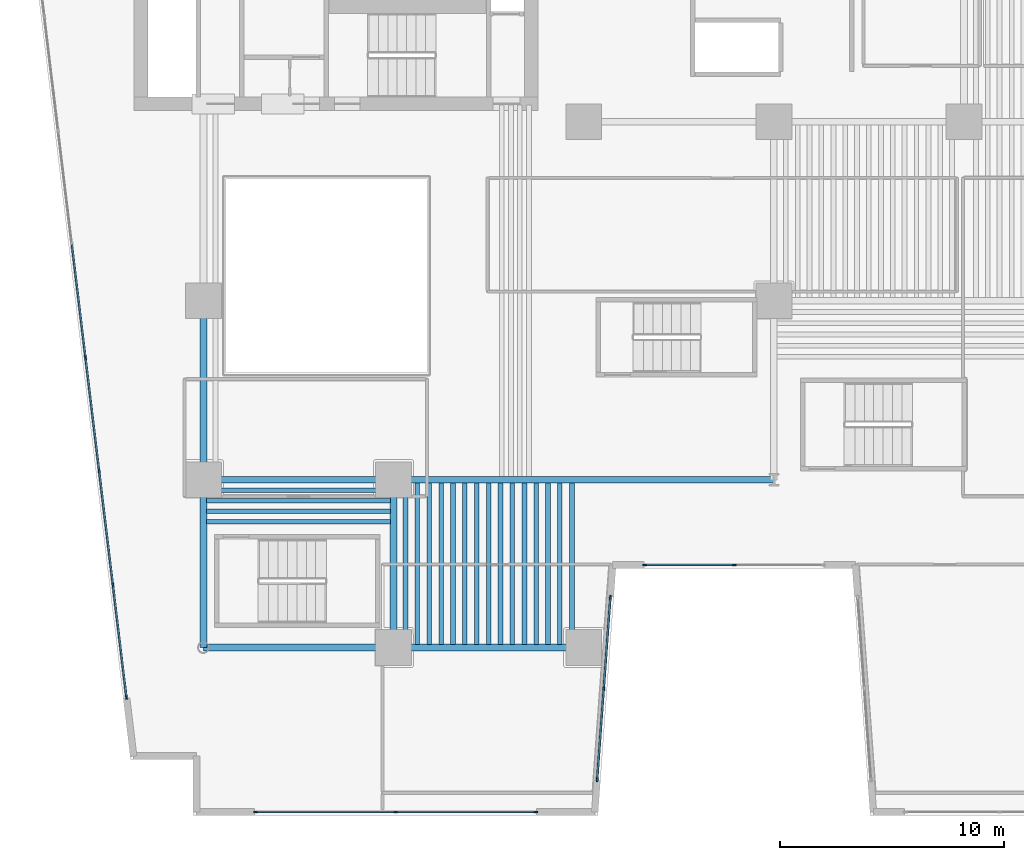
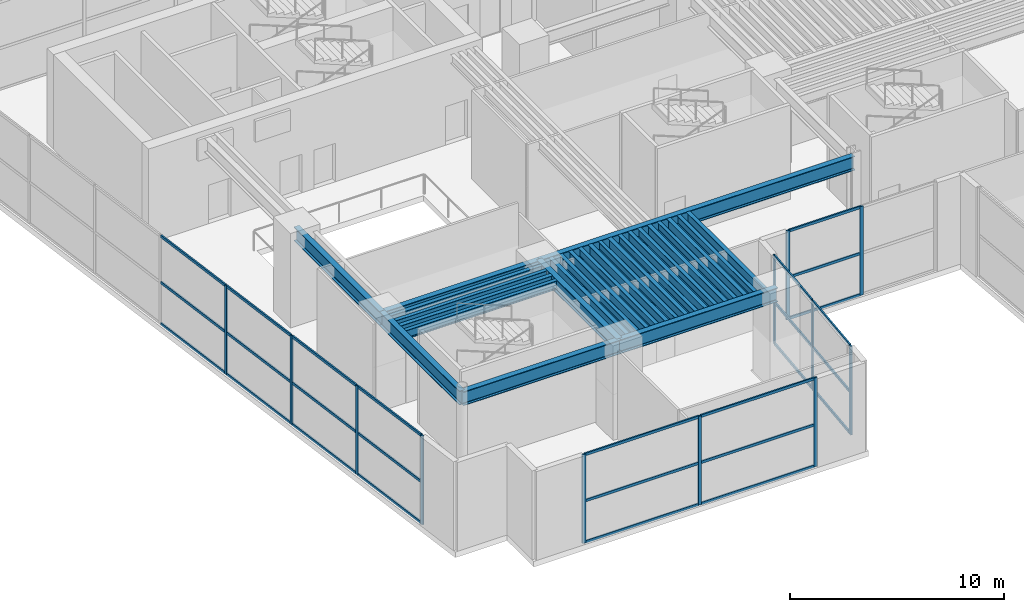
# One storey, part 2 of 16: 39 members, 26 beams, 4 elements without a shape of their own.
"""IFC4 building model written with IfcOpenShell, lengths in metres."""

from ifc_helpers import new_model, si_unit, direction, frame, origin, origin_2d, place, context, subcontext, project, spatial, rectangle, i_section, extrude, material, layer, layer_set, material_profile, profile_set, type_object, element, aggregate, save


model = new_model("IFC4")

# Units and contexts
model_context = context("Model", 3, precision=1e-05, world=origin(), true_north=direction((0.0, 1.0)))
body_context = subcontext(model_context, "Body", "Model", "MODEL_VIEW")
ifc_project = project(units=[si_unit("LENGTHUNIT", "METRE"), si_unit("AREAUNIT", "SQUARE_METRE"), si_unit("VOLUMEUNIT", "CUBIC_METRE"), si_unit("PLANEANGLEUNIT", "RADIAN"), si_unit("MASSUNIT", "GRAM", prefix="KILO")], contexts=[model_context])

# Site, building, storey
site_placement = place(None, origin())
site = spatial("IfcSite", under=ifc_project, at=site_placement, CompositionType="ELEMENT")
building_placement = place(site_placement, origin())
building = spatial("IfcBuilding", under=site, at=building_placement, Name="Caeloran Harvest Quay", CompositionType="ELEMENT")
storey_placement = place(building_placement, frame((0.0, 0.0, 10.800048828125)))
storey = spatial("IfcBuildingStorey", under=building, at=storey_placement, Name="L03", CompositionType="ELEMENT", Elevation=10.800048828125)

# Beams
ifc_material_1 = material(Name="Steel S355J2", Category="steel")
ifc_material_profile_1 = material_profile(ifc_material_1, i_section(OverallWidth=0.300048828125, OverallDepth=0.800048828125, WebThickness=0.017578125, FlangeThickness=0.032958984375, FilletRadius=0.030029296875, at=origin_2d()), Name="HE 800 B")
ifc_profile_set_1 = profile_set([ifc_material_profile_1], Name="Steel S355J2")
beam_type_1 = type_object("IfcBeamType", Name="BM-PG-1-HE_800_B", PredefinedType="BEAM", material=ifc_profile_set_1)
for number, where, z_axis, x_axis, name in (
    (1, (8.5, 7.5, 4.679931640625), (1.0, 0.0, 0.0), (0.0, 1.0, 0.0), "L03 Primary East-West Girder Y=7.5"),
    (2, (17.0, 7.5, 4.679931640625), (1.0, 0.0, 0.0), (0.0, 1.0, 0.0), "L03 Primary East-West Girder Y=7.5"),
    (3, (8.5, 15.0, 4.679931640625), (1.0, 0.0, 0.0), (0.0, 1.0, 0.0), "L03 Primary East-West Girder Y=15.0"),
):
    element("IfcBeam", number, at=place(storey_placement, frame(where, z_axis=z_axis, x_axis=x_axis)), inside=storey, type_object=beam_type_1, Name=name, PredefinedType="BEAM", context=body_context, shape_type="SweptSolid", body=[
        extrude(i_section(OverallWidth=0.300048828125, OverallDepth=0.800048828125, WebThickness=0.017578125, FlangeThickness=0.032958984375, FilletRadius=0.030029296875, at=origin_2d()), origin(), (0.0, 0.0, 1.0), 8.5),
    ])
beam_1_placement = place(storey_placement, frame((17.0, 15.0, 4.679931640625), z_axis=(1.0, 0.0, 0.0), x_axis=(0.0, 1.0, 0.0)))
element("IfcBeam", 4, at=beam_1_placement, inside=storey, type_object=beam_type_1, Name="L03 Primary East-West Girder Y=15.0", PredefinedType="BEAM", context=body_context, shape_type="SweptSolid", body=[
    extrude(i_section(OverallWidth=0.300048828125, OverallDepth=0.800048828125, WebThickness=0.017578125, FlangeThickness=0.032958984375, FilletRadius=0.030029296875, at=origin_2d()), origin(), (0.0, 0.0, 1.0), 17.0),
])
beam_2_placement = place(storey_placement, frame((8.5, 7.5, 4.679931640625), z_axis=(0.0, 1.0, 0.0), x_axis=(-1.0, 0.0, 0.0)))
element("IfcBeam", 5, at=beam_2_placement, inside=storey, type_object=beam_type_1, Name="L03 Primary North-South Girder X=8.5", PredefinedType="BEAM", context=body_context, shape_type="SweptSolid", body=[
    extrude(i_section(OverallWidth=0.300048828125, OverallDepth=0.800048828125, WebThickness=0.017578125, FlangeThickness=0.032958984375, FilletRadius=0.030029296875, at=origin_2d()), origin(), (0.0, 0.0, 1.0), 7.5),
])
beam_3_placement = place(storey_placement, frame((8.5, 15.0, 4.679931640625), z_axis=(0.0, 1.0, 0.0), x_axis=(-1.0, 0.0, 0.0)))
element("IfcBeam", 6, at=beam_3_placement, inside=storey, type_object=beam_type_1, Name="L03 Primary North-South Girder X=8.5", PredefinedType="BEAM", context=body_context, shape_type="SweptSolid", body=[
    extrude(i_section(OverallWidth=0.300048828125, OverallDepth=0.800048828125, WebThickness=0.017578125, FlangeThickness=0.032958984375, FilletRadius=0.030029296875, at=origin_2d()), origin(), (0.0, 0.0, 1.0), 8.0),
])
beam_4_placement = place(storey_placement, frame((17.0, 7.5, 4.679931640625), z_axis=(0.0, 1.0, 0.0), x_axis=(-1.0, 0.0, 0.0)))
element("IfcBeam", 7, at=beam_4_placement, inside=storey, type_object=beam_type_1, Name="L03 Primary North-South Girder X=17.0", PredefinedType="BEAM", context=body_context, shape_type="SweptSolid", body=[
    extrude(i_section(OverallWidth=0.300048828125, OverallDepth=0.800048828125, WebThickness=0.017578125, FlangeThickness=0.032958984375, FilletRadius=0.030029296875, at=origin_2d()), origin(), (0.0, 0.0, 1.0), 7.5),
])
ifc_material_profile_2 = material_profile(ifc_material_1, i_section(OverallWidth=0.219970703125, OverallDepth=0.60009765625, WebThickness=0.011962890625, FlangeThickness=0.01904296875, FilletRadius=0.02392578125, at=origin_2d()), Name="IPE 600")
ifc_profile_set_2 = profile_set([ifc_material_profile_2], Name="Steel S355J2")
beam_type_2 = type_object("IfcBeamType", Name="BM-SB-1-IPE_600", PredefinedType="JOIST", material=ifc_profile_set_2)
for number, where, z_axis, x_axis, name in (
    (8, (17.53125, 7.64501953125, 4.780029296875), (0.0, 1.0, 0.0), (-1.0, 0.0, 0.0), "L03 Secondary Composite Joist"),
    (9, (18.59375, 7.64501953125, 4.780029296875), (0.0, 1.0, 0.0), (-1.0, 0.0, 0.0), "L03 Secondary Composite Joist"),
    (10, (19.65625, 7.64501953125, 4.780029296875), (0.0, 1.0, 0.0), (-1.0, 0.0, 0.0), "L03 Secondary Composite Joist"),
    (11, (20.71875, 7.64501953125, 4.780029296875), (0.0, 1.0, 0.0), (-1.0, 0.0, 0.0), "L03 Secondary Composite Joist"),
    (12, (21.78125, 7.64501953125, 4.780029296875), (0.0, 1.0, 0.0), (-1.0, 0.0, 0.0), "L03 Secondary Composite Joist"),
    (13, (22.84375, 7.64501953125, 4.780029296875), (0.0, 1.0, 0.0), (-1.0, 0.0, 0.0), "L03 Secondary Composite Joist"),
    (14, (23.90625, 7.64501953125, 4.780029296875), (0.0, 1.0, 0.0), (-1.0, 0.0, 0.0), "L03 Secondary Composite Joist"),
    (15, (24.96875, 7.64501953125, 4.780029296875), (0.0, 1.0, 0.0), (-1.0, 0.0, 0.0), "L03 Secondary Composite Joist"),
):
    element("IfcBeam", number, at=place(storey_placement, frame(where, z_axis=z_axis, x_axis=x_axis)), inside=storey, type_object=beam_type_2, Name=name, PredefinedType="JOIST", context=body_context, shape_type="SweptSolid", body=[
        extrude(i_section(OverallWidth=0.219970703125, OverallDepth=0.60009765625, WebThickness=0.011962890625, FlangeThickness=0.01904296875, FilletRadius=0.02392578125, at=origin_2d()), origin(), (0.0, 0.0, 1.0), 7.2099609375),
    ])
for number, where, z_axis, x_axis, name in (
    (16, (8.64501953125, 13.59375, 4.780029296875), (1.0, 0.0, 0.0), (0.0, 1.0, 0.0), "L03 Secondary East-West Composite Joist"),
    (17, (8.64501953125, 14.53125, 4.780029296875), (1.0, 0.0, 0.0), (0.0, 1.0, 0.0), "L03 Secondary East-West Composite Joist"),
):
    element("IfcBeam", number, at=place(storey_placement, frame(where, z_axis=z_axis, x_axis=x_axis)), inside=storey, type_object=beam_type_2, Name=name, PredefinedType="JOIST", context=body_context, shape_type="SweptSolid", body=[
        extrude(i_section(OverallWidth=0.219970703125, OverallDepth=0.60009765625, WebThickness=0.011962890625, FlangeThickness=0.01904296875, FilletRadius=0.02392578125, at=origin_2d()), origin(), (0.0, 0.0, 1.0), 8.2099609375),
    ])
ifc_material_profile_3 = material_profile(ifc_material_1, i_section(OverallWidth=0.199951171875, OverallDepth=0.5, WebThickness=0.01025390625, FlangeThickness=0.01611328125, FilletRadius=0.02099609375, at=origin_2d()), Name="IPE 500")
ifc_profile_set_3 = profile_set([ifc_material_profile_3], Name="Steel S355J2")
beam_type_3 = type_object("IfcBeamType", Name="BM-SB-2-IPE_500", PredefinedType="JOIST", material=ifc_profile_set_3)
for number, where, z_axis, x_axis, name in (
    (18, (18.0625, 7.64501953125, 4.829833984375), (0.0, 1.0, 0.0), (-1.0, 0.0, 0.0), "L03 Secondary Composite Joist"),
    (19, (19.125, 7.64501953125, 4.829833984375), (0.0, 1.0, 0.0), (-1.0, 0.0, 0.0), "L03 Secondary Composite Joist"),
    (20, (20.1875, 7.64501953125, 4.829833984375), (0.0, 1.0, 0.0), (-1.0, 0.0, 0.0), "L03 Secondary Composite Joist"),
    (21, (21.25, 7.64501953125, 4.829833984375), (0.0, 1.0, 0.0), (-1.0, 0.0, 0.0), "L03 Secondary Composite Joist"),
    (22, (22.3125, 7.64501953125, 4.829833984375), (0.0, 1.0, 0.0), (-1.0, 0.0, 0.0), "L03 Secondary Composite Joist"),
    (23, (23.375, 7.64501953125, 4.829833984375), (0.0, 1.0, 0.0), (-1.0, 0.0, 0.0), "L03 Secondary Composite Joist"),
    (24, (24.4375, 7.64501953125, 4.829833984375), (0.0, 1.0, 0.0), (-1.0, 0.0, 0.0), "L03 Secondary Composite Joist"),
):
    element("IfcBeam", number, at=place(storey_placement, frame(where, z_axis=z_axis, x_axis=x_axis)), inside=storey, type_object=beam_type_3, Name=name, PredefinedType="JOIST", context=body_context, shape_type="SweptSolid", body=[
        extrude(i_section(OverallWidth=0.199951171875, OverallDepth=0.5, WebThickness=0.01025390625, FlangeThickness=0.01611328125, FilletRadius=0.02099609375, at=origin_2d()), origin(), (0.0, 0.0, 1.0), 7.2099609375),
    ])
for number, where, z_axis, x_axis, name in (
    (25, (8.64501953125, 13.125, 4.829833984375), (1.0, 0.0, 0.0), (0.0, 1.0, 0.0), "L03 Secondary East-West Composite Joist"),
    (26, (8.64501953125, 14.0625, 4.829833984375), (1.0, 0.0, 0.0), (0.0, 1.0, 0.0), "L03 Secondary East-West Composite Joist"),
):
    element("IfcBeam", number, at=place(storey_placement, frame(where, z_axis=z_axis, x_axis=x_axis)), inside=storey, type_object=beam_type_3, Name=name, PredefinedType="JOIST", context=body_context, shape_type="SweptSolid", body=[
        extrude(i_section(OverallWidth=0.199951171875, OverallDepth=0.5, WebThickness=0.01025390625, FlangeThickness=0.01611328125, FilletRadius=0.02099609375, at=origin_2d()), origin(), (0.0, 0.0, 1.0), 8.2099609375),
    ])

# Curtain wall, members
ifc_material_2 = material(Name="Aluminium 6063-T6 and Low-E Glazing", Category="aluminium")
ifc_layer = layer(ifc_material_2, 0.179931640625, Name="Aluminium 6063-T6 and Low-E Glazing")
ifc_layer_set = layer_set([ifc_layer], Name="Aluminium 6063-T6 and Low-E Glazing")
curtain_wall_type = type_object("IfcCurtainWallType", Name="CW-SYS-CW-1", PredefinedType="USERDEFINED", material=ifc_layer_set)
curtain_wall_1_placement = place(storey_placement, origin())
curtain_wall_1 = element("IfcCurtainWall", 27, at=curtain_wall_1_placement, inside=storey, type_object=curtain_wall_type, Name="L03 Unitised Curtain Wall CW-1 Run 3", ObjectType="CURTAIN_WALL", PredefinedType="USERDEFINED")
ifc_material_3 = material(Name="Aluminium 6063-T6", Category="aluminium")
ifc_material_profile_4 = material_profile(ifc_material_3, rectangle(XDim=0.080078125, YDim=0.179931640625, at=origin_2d()), Name="CW-MULLION-180")
ifc_profile_set_4 = profile_set([ifc_material_profile_4], Name="Aluminium 6063-T6")
member_type_1 = type_object("IfcMemberType", Name="CW-MULLION-180", PredefinedType="MULLION", material=ifc_profile_set_4)
member_1_placement = place(storey_placement, frame((5.059814453125, 5.27099609375, 0.0), z_axis=(0.0, 0.0, 1.0), x_axis=(-0.992815527762, -0.11965503681, 0.0)))
member_1 = element("IfcMember", 28, at=member_1_placement, type_object=member_type_1, Name="CW-1 mullion 1", PredefinedType="MULLION", context=body_context, shape_type="SweptSolid", body=[
    extrude(rectangle(XDim=0.080078125, YDim=0.179931640625, at=origin_2d()), origin(), (0.0, 0.0, 1.0), 5.079833984375),
])
member_2_placement = place(storey_placement, frame((4.45263671875, 10.30810546875, 0.0), z_axis=(0.0, 0.0, 1.0), x_axis=(-0.992815527762, -0.11965503681, 0.0)))
member_2 = element("IfcMember", 29, at=member_2_placement, type_object=member_type_1, Name="CW-1 mullion 2", PredefinedType="MULLION", context=body_context, shape_type="SweptSolid", body=[
    extrude(rectangle(XDim=0.080078125, YDim=0.179931640625, at=origin_2d()), origin(), (0.0, 0.0, 1.0), 5.079833984375),
])
member_3_placement = place(storey_placement, frame((3.8408203125, 15.384765625, 0.0), z_axis=(0.0, 0.0, 1.0), x_axis=(-0.992815527762, -0.11965503681, 0.0)))
member_3 = element("IfcMember", 30, at=member_3_placement, type_object=member_type_1, Name="CW-1 mullion 3", PredefinedType="MULLION", context=body_context, shape_type="SweptSolid", body=[
    extrude(rectangle(XDim=0.080078125, YDim=0.179931640625, at=origin_2d()), origin(), (0.0, 0.0, 1.0), 5.079833984375),
])
member_4_placement = place(storey_placement, frame((3.22900390625, 20.461669921875, 0.0), z_axis=(0.0, 0.0, 1.0), x_axis=(-0.992815527762, -0.11965503681, 0.0)))
member_4 = element("IfcMember", 31, at=member_4_placement, type_object=member_type_1, Name="CW-1 mullion 4", PredefinedType="MULLION", context=body_context, shape_type="SweptSolid", body=[
    extrude(rectangle(XDim=0.080078125, YDim=0.179931640625, at=origin_2d()), origin(), (0.0, 0.0, 1.0), 5.079833984375),
])

curtain_wall_2_placement = place(storey_placement, origin())
curtain_wall_2 = element("IfcCurtainWall", 32, at=curtain_wall_2_placement, inside=storey, type_object=curtain_wall_type, Name="L03 Unitised Curtain Wall CW-1 Run 14", ObjectType="CURTAIN_WALL", PredefinedType="USERDEFINED")
member_5_placement = place(storey_placement, frame((32.219970703125, 11.18994140625, 0.0), z_axis=(0.0, 0.0, 1.0), x_axis=(0.0, -1.0, 0.0)))
member_5 = element("IfcMember", 33, at=member_5_placement, type_object=member_type_1, Name="CW-1 mullion 2", PredefinedType="MULLION", context=body_context, shape_type="SweptSolid", body=[
    extrude(rectangle(XDim=0.080078125, YDim=0.179931640625, at=origin_2d()), origin(), (0.0, 0.0, 1.0), 5.079833984375),
])
member_6_placement = place(storey_placement, frame((28.236572265625, 11.18994140625, 0.0), z_axis=(0.0, 0.0, 1.0), x_axis=(0.0, -1.0, 0.0)))
member_6 = element("IfcMember", 34, at=member_6_placement, type_object=member_type_1, Name="CW-1 mullion 3", PredefinedType="MULLION", context=body_context, shape_type="SweptSolid", body=[
    extrude(rectangle(XDim=0.080078125, YDim=0.179931640625, at=origin_2d()), origin(), (0.0, 0.0, 1.0), 5.079833984375),
])

curtain_wall_3_placement = place(storey_placement, origin())
curtain_wall_3 = element("IfcCurtainWall", 35, at=curtain_wall_3_placement, inside=storey, type_object=curtain_wall_type, Name="L03 Unitised Curtain Wall CW-1 Run 15", ObjectType="CURTAIN_WALL", PredefinedType="USERDEFINED")
member_7_placement = place(storey_placement, frame((26.6923828125, 9.75390625, 0.0), z_axis=(0.0, 0.0, 1.0), x_axis=(0.997385061295, -0.072270599173, 0.0)))
member_7 = element("IfcMember", 36, at=member_7_placement, type_object=member_type_1, Name="CW-1 mullion 1", PredefinedType="MULLION", context=body_context, shape_type="SweptSolid", body=[
    extrude(rectangle(XDim=0.080078125, YDim=0.179931640625, at=origin_2d()), origin(), (0.0, 0.0, 1.0), 5.079833984375),
])
member_8_placement = place(storey_placement, frame((26.396484375, 5.670166015625, 0.0), z_axis=(0.0, 0.0, 1.0), x_axis=(0.997385061295, -0.072270599173, 0.0)))
member_8 = element("IfcMember", 37, at=member_8_placement, type_object=member_type_1, Name="CW-1 mullion 2", PredefinedType="MULLION", context=body_context, shape_type="SweptSolid", body=[
    extrude(rectangle(XDim=0.080078125, YDim=0.179931640625, at=origin_2d()), origin(), (0.0, 0.0, 1.0), 5.079833984375),
])
member_9_placement = place(storey_placement, frame((26.1005859375, 1.586181640625, 0.0), z_axis=(0.0, 0.0, 1.0), x_axis=(0.997385061295, -0.072270599173, 0.0)))
member_9 = element("IfcMember", 38, at=member_9_placement, type_object=member_type_1, Name="CW-1 mullion 3", PredefinedType="MULLION", context=body_context, shape_type="SweptSolid", body=[
    extrude(rectangle(XDim=0.080078125, YDim=0.179931640625, at=origin_2d()), origin(), (0.0, 0.0, 1.0), 5.079833984375),
])

curtain_wall_4_placement = place(storey_placement, origin())
curtain_wall_4 = element("IfcCurtainWall", 39, at=curtain_wall_4_placement, inside=storey, type_object=curtain_wall_type, Name="L03 Unitised Curtain Wall CW-1 Run 16", ObjectType="CURTAIN_WALL", PredefinedType="USERDEFINED")
member_10_placement = place(storey_placement, frame((23.3564453125, 0.14990234375, 0.0), z_axis=(0.0, 0.0, 1.0), x_axis=(0.0, -1.0, 0.0)))
member_10 = element("IfcMember", 40, at=member_10_placement, type_object=member_type_1, Name="CW-1 mullion 1", PredefinedType="MULLION", context=body_context, shape_type="SweptSolid", body=[
    extrude(rectangle(XDim=0.080078125, YDim=0.179931640625, at=origin_2d()), origin(), (0.0, 0.0, 1.0), 5.079833984375),
])
member_11_placement = place(storey_placement, frame((17.09521484375, 0.14990234375, 0.0), z_axis=(0.0, 0.0, 1.0), x_axis=(0.0, -1.0, 0.0)))
member_11 = element("IfcMember", 41, at=member_11_placement, type_object=member_type_1, Name="CW-1 mullion 2", PredefinedType="MULLION", context=body_context, shape_type="SweptSolid", body=[
    extrude(rectangle(XDim=0.080078125, YDim=0.179931640625, at=origin_2d()), origin(), (0.0, 0.0, 1.0), 5.079833984375),
])
member_12_placement = place(storey_placement, frame((10.833984375, 0.14990234375, 0.0), z_axis=(0.0, 0.0, 1.0), x_axis=(0.0, -1.0, 0.0)))
member_12 = element("IfcMember", 42, at=member_12_placement, type_object=member_type_1, Name="CW-1 mullion 3", PredefinedType="MULLION", context=body_context, shape_type="SweptSolid", body=[
    extrude(rectangle(XDim=0.080078125, YDim=0.179931640625, at=origin_2d()), origin(), (0.0, 0.0, 1.0), 5.079833984375),
])

# Member
ifc_material_profile_5 = material_profile(ifc_material_3, rectangle(XDim=0.080078125, YDim=0.14990234375, at=origin_2d()), Name="CW-TRANSOM-150")
ifc_profile_set_5 = profile_set([ifc_material_profile_5], Name="Aluminium 6063-T6")
member_type_2 = type_object("IfcMemberType", Name="CW-TRANSOM-150", PredefinedType="USERDEFINED", material=ifc_profile_set_5)
member_13_placement = place(storey_placement, frame((5.054931640625, 5.310791015625, 0.0400390625), z_axis=(-0.119640688841, 0.992817256888, 0.0), x_axis=(-0.992817256888, -0.119640688841, 0.0)))
member_13 = element("IfcMember", 43, at=member_13_placement, type_object=member_type_2, Name="CW-1 transom 1.1", ObjectType="TRANSOM", PredefinedType="USERDEFINED", context=body_context, shape_type="SweptSolid", body=[
    extrude(rectangle(XDim=0.080078125, YDim=0.14990234375, at=origin_2d()), origin(), (0.0, 0.0, 1.0), 4.993408203125),
])

member_14_placement = place(storey_placement, frame((5.054931640625, 5.310791015625, 2.39990234375), z_axis=(-0.119640688841, 0.992817256888, 0.0), x_axis=(-0.992817256888, -0.119640688841, 0.0)))
member_14 = element("IfcMember", 44, at=member_14_placement, type_object=member_type_2, Name="CW-1 transom 1.2", ObjectType="TRANSOM", PredefinedType="USERDEFINED", context=body_context, shape_type="SweptSolid", body=[
    extrude(rectangle(XDim=0.080078125, YDim=0.14990234375, at=origin_2d()), origin(), (0.0, 0.0, 1.0), 4.993408203125),
])

member_15_placement = place(storey_placement, frame((5.054931640625, 5.310791015625, 5.0400390625), z_axis=(-0.119640688841, 0.992817256888, 0.0), x_axis=(-0.992817256888, -0.119640688841, 0.0)))
member_15 = element("IfcMember", 45, at=member_15_placement, type_object=member_type_2, Name="CW-1 transom 1.3", ObjectType="TRANSOM", PredefinedType="USERDEFINED", context=body_context, shape_type="SweptSolid", body=[
    extrude(rectangle(XDim=0.080078125, YDim=0.14990234375, at=origin_2d()), origin(), (0.0, 0.0, 1.0), 4.993408203125),
])

member_16_placement = place(storey_placement, frame((4.447998046875, 10.347900390625, 0.0400390625), z_axis=(-0.119657779641, 0.99281519719, 0.0), x_axis=(-0.99281519719, -0.119657779641, 0.0)))
member_16 = element("IfcMember", 46, at=member_16_placement, type_object=member_type_2, Name="CW-1 transom 2.1", ObjectType="TRANSOM", PredefinedType="USERDEFINED", context=body_context, shape_type="SweptSolid", body=[
    extrude(rectangle(XDim=0.080078125, YDim=0.14990234375, at=origin_2d()), origin(), (0.0, 0.0, 1.0), 5.033447265625),
])

member_17_placement = place(storey_placement, frame((4.447998046875, 10.347900390625, 2.39990234375), z_axis=(-0.119657779641, 0.99281519719, 0.0), x_axis=(-0.99281519719, -0.119657779641, 0.0)))
member_17 = element("IfcMember", 47, at=member_17_placement, type_object=member_type_2, Name="CW-1 transom 2.2", ObjectType="TRANSOM", PredefinedType="USERDEFINED", context=body_context, shape_type="SweptSolid", body=[
    extrude(rectangle(XDim=0.080078125, YDim=0.14990234375, at=origin_2d()), origin(), (0.0, 0.0, 1.0), 5.033447265625),
])

member_18_placement = place(storey_placement, frame((4.447998046875, 10.347900390625, 5.0400390625), z_axis=(-0.119657779641, 0.99281519719, 0.0), x_axis=(-0.99281519719, -0.119657779641, 0.0)))
member_18 = element("IfcMember", 48, at=member_18_placement, type_object=member_type_2, Name="CW-1 transom 2.3", ObjectType="TRANSOM", PredefinedType="USERDEFINED", context=body_context, shape_type="SweptSolid", body=[
    extrude(rectangle(XDim=0.080078125, YDim=0.14990234375, at=origin_2d()), origin(), (0.0, 0.0, 1.0), 5.033447265625),
])

member_19_placement = place(storey_placement, frame((3.836181640625, 15.424560546875, 0.0400390625), z_axis=(-0.119657779641, 0.99281519719, 0.0), x_axis=(-0.99281519719, -0.119657779641, 0.0)))
member_19 = element("IfcMember", 49, at=member_19_placement, type_object=member_type_2, Name="CW-1 transom 3.1", ObjectType="TRANSOM", PredefinedType="USERDEFINED", context=body_context, shape_type="SweptSolid", body=[
    extrude(rectangle(XDim=0.080078125, YDim=0.14990234375, at=origin_2d()), origin(), (0.0, 0.0, 1.0), 5.033447265625),
])

member_20_placement = place(storey_placement, frame((3.836181640625, 15.424560546875, 2.39990234375), z_axis=(-0.119657779641, 0.99281519719, 0.0), x_axis=(-0.99281519719, -0.119657779641, 0.0)))
member_20 = element("IfcMember", 50, at=member_20_placement, type_object=member_type_2, Name="CW-1 transom 3.2", ObjectType="TRANSOM", PredefinedType="USERDEFINED", context=body_context, shape_type="SweptSolid", body=[
    extrude(rectangle(XDim=0.080078125, YDim=0.14990234375, at=origin_2d()), origin(), (0.0, 0.0, 1.0), 5.033447265625),
])

member_21_placement = place(storey_placement, frame((3.836181640625, 15.424560546875, 5.0400390625), z_axis=(-0.119657779641, 0.99281519719, 0.0), x_axis=(-0.99281519719, -0.119657779641, 0.0)))
member_21 = element("IfcMember", 51, at=member_21_placement, type_object=member_type_2, Name="CW-1 transom 3.3", ObjectType="TRANSOM", PredefinedType="USERDEFINED", context=body_context, shape_type="SweptSolid", body=[
    extrude(rectangle(XDim=0.080078125, YDim=0.14990234375, at=origin_2d()), origin(), (0.0, 0.0, 1.0), 5.033447265625),
])

member_22_placement = place(storey_placement, frame((3.22412109375, 20.501220703125, 0.0400390625), z_axis=(-0.119604210745, 0.992821652046, 0.0), x_axis=(-0.992821652046, -0.119604210745, 0.0)))
member_22 = element("IfcMember", 52, at=member_22_placement, type_object=member_type_2, Name="CW-1 transom 4.1", ObjectType="TRANSOM", PredefinedType="USERDEFINED", context=body_context, shape_type="SweptSolid", body=[
    extrude(rectangle(XDim=0.080078125, YDim=0.14990234375, at=origin_2d()), origin(), (0.0, 0.0, 1.0), 5.03369140625),
])

member_23_placement = place(storey_placement, frame((3.22412109375, 20.501220703125, 2.39990234375), z_axis=(-0.119604210745, 0.992821652046, 0.0), x_axis=(-0.992821652046, -0.119604210745, 0.0)))
member_23 = element("IfcMember", 53, at=member_23_placement, type_object=member_type_2, Name="CW-1 transom 4.2", ObjectType="TRANSOM", PredefinedType="USERDEFINED", context=body_context, shape_type="SweptSolid", body=[
    extrude(rectangle(XDim=0.080078125, YDim=0.14990234375, at=origin_2d()), origin(), (0.0, 0.0, 1.0), 5.03369140625),
])

member_24_placement = place(storey_placement, frame((3.22412109375, 20.501220703125, 5.0400390625), z_axis=(-0.119604210745, 0.992821652046, 0.0), x_axis=(-0.992821652046, -0.119604210745, 0.0)))
member_24 = element("IfcMember", 54, at=member_24_placement, type_object=member_type_2, Name="CW-1 transom 4.3", ObjectType="TRANSOM", PredefinedType="USERDEFINED", context=body_context, shape_type="SweptSolid", body=[
    extrude(rectangle(XDim=0.080078125, YDim=0.14990234375, at=origin_2d()), origin(), (0.0, 0.0, 1.0), 5.03369140625),
])

aggregate(curtain_wall_1, [member_1, member_2, member_3, member_4, member_13, member_14, member_15, member_16, member_17, member_18, member_19, member_20, member_21, member_22, member_23, member_24])

member_25_placement = place(storey_placement, frame((32.179931640625, 11.18994140625, 0.0400390625), z_axis=(-1.0, 0.0, 0.0), x_axis=(0.0, -1.0, 0.0)))
member_25 = element("IfcMember", 55, at=member_25_placement, type_object=member_type_2, Name="CW-1 transom 2.1", ObjectType="TRANSOM", PredefinedType="USERDEFINED", context=body_context, shape_type="SweptSolid", body=[
    extrude(rectangle(XDim=0.080078125, YDim=0.14990234375, at=origin_2d()), origin(), (0.0, 0.0, 1.0), 3.9033203125),
])

member_26_placement = place(storey_placement, frame((32.179931640625, 11.18994140625, 2.39990234375), z_axis=(-1.0, 0.0, 0.0), x_axis=(0.0, -1.0, 0.0)))
member_26 = element("IfcMember", 56, at=member_26_placement, type_object=member_type_2, Name="CW-1 transom 2.2", ObjectType="TRANSOM", PredefinedType="USERDEFINED", context=body_context, shape_type="SweptSolid", body=[
    extrude(rectangle(XDim=0.080078125, YDim=0.14990234375, at=origin_2d()), origin(), (0.0, 0.0, 1.0), 3.9033203125),
])

member_27_placement = place(storey_placement, frame((32.179931640625, 11.18994140625, 5.0400390625), z_axis=(-1.0, 0.0, 0.0), x_axis=(0.0, -1.0, 0.0)))
member_27 = element("IfcMember", 57, at=member_27_placement, type_object=member_type_2, Name="CW-1 transom 2.3", ObjectType="TRANSOM", PredefinedType="USERDEFINED", context=body_context, shape_type="SweptSolid", body=[
    extrude(rectangle(XDim=0.080078125, YDim=0.14990234375, at=origin_2d()), origin(), (0.0, 0.0, 1.0), 3.9033203125),
])

aggregate(curtain_wall_2, [member_5, member_6, member_25, member_26, member_27])

member_28_placement = place(storey_placement, frame((26.689453125, 9.7138671875, 0.0400390625), z_axis=(-0.07224971041, -0.997386574677, 0.0), x_axis=(0.997386574677, -0.07224971041, 0.0)))
member_28 = element("IfcMember", 58, at=member_28_placement, type_object=member_type_2, Name="CW-1 transom 1.1", ObjectType="TRANSOM", PredefinedType="USERDEFINED", context=body_context, shape_type="SweptSolid", body=[
    extrude(rectangle(XDim=0.080078125, YDim=0.14990234375, at=origin_2d()), origin(), (0.0, 0.0, 1.0), 4.014404296875),
])

member_29_placement = place(storey_placement, frame((26.689453125, 9.7138671875, 2.39990234375), z_axis=(-0.07224971041, -0.997386574677, 0.0), x_axis=(0.997386574677, -0.07224971041, 0.0)))
member_29 = element("IfcMember", 59, at=member_29_placement, type_object=member_type_2, Name="CW-1 transom 1.2", ObjectType="TRANSOM", PredefinedType="USERDEFINED", context=body_context, shape_type="SweptSolid", body=[
    extrude(rectangle(XDim=0.080078125, YDim=0.14990234375, at=origin_2d()), origin(), (0.0, 0.0, 1.0), 4.014404296875),
])

member_30_placement = place(storey_placement, frame((26.689453125, 9.7138671875, 5.0400390625), z_axis=(-0.07224971041, -0.997386574677, 0.0), x_axis=(0.997386574677, -0.07224971041, 0.0)))
member_30 = element("IfcMember", 60, at=member_30_placement, type_object=member_type_2, Name="CW-1 transom 1.3", ObjectType="TRANSOM", PredefinedType="USERDEFINED", context=body_context, shape_type="SweptSolid", body=[
    extrude(rectangle(XDim=0.080078125, YDim=0.14990234375, at=origin_2d()), origin(), (0.0, 0.0, 1.0), 4.014404296875),
])

member_31_placement = place(storey_placement, frame((26.3935546875, 5.630126953125, 0.0400390625), z_axis=(-0.07224971041, -0.997386574677, 0.0), x_axis=(0.997386574677, -0.07224971041, 0.0)))
member_31 = element("IfcMember", 61, at=member_31_placement, type_object=member_type_2, Name="CW-1 transom 2.1", ObjectType="TRANSOM", PredefinedType="USERDEFINED", context=body_context, shape_type="SweptSolid", body=[
    extrude(rectangle(XDim=0.080078125, YDim=0.14990234375, at=origin_2d()), origin(), (0.0, 0.0, 1.0), 4.014404296875),
])

member_32_placement = place(storey_placement, frame((26.3935546875, 5.630126953125, 2.39990234375), z_axis=(-0.07224971041, -0.997386574677, 0.0), x_axis=(0.997386574677, -0.07224971041, 0.0)))
member_32 = element("IfcMember", 62, at=member_32_placement, type_object=member_type_2, Name="CW-1 transom 2.2", ObjectType="TRANSOM", PredefinedType="USERDEFINED", context=body_context, shape_type="SweptSolid", body=[
    extrude(rectangle(XDim=0.080078125, YDim=0.14990234375, at=origin_2d()), origin(), (0.0, 0.0, 1.0), 4.014404296875),
])

member_33_placement = place(storey_placement, frame((26.3935546875, 5.630126953125, 5.0400390625), z_axis=(-0.07224971041, -0.997386574677, 0.0), x_axis=(0.997386574677, -0.07224971041, 0.0)))
member_33 = element("IfcMember", 63, at=member_33_placement, type_object=member_type_2, Name="CW-1 transom 2.3", ObjectType="TRANSOM", PredefinedType="USERDEFINED", context=body_context, shape_type="SweptSolid", body=[
    extrude(rectangle(XDim=0.080078125, YDim=0.14990234375, at=origin_2d()), origin(), (0.0, 0.0, 1.0), 4.014404296875),
])

aggregate(curtain_wall_3, [member_7, member_8, member_9, member_28, member_29, member_30, member_31, member_32, member_33])

member_34_placement = place(storey_placement, frame((23.31640625, 0.14990234375, 0.0400390625), z_axis=(-1.0, 0.0, 0.0), x_axis=(0.0, -1.0, 0.0)))
member_34 = element("IfcMember", 64, at=member_34_placement, type_object=member_type_2, Name="CW-1 transom 1.1", ObjectType="TRANSOM", PredefinedType="USERDEFINED", context=body_context, shape_type="SweptSolid", body=[
    extrude(rectangle(XDim=0.080078125, YDim=0.14990234375, at=origin_2d()), origin(), (0.0, 0.0, 1.0), 6.18115234375),
])

member_35_placement = place(storey_placement, frame((23.31640625, 0.14990234375, 2.39990234375), z_axis=(-1.0, 0.0, 0.0), x_axis=(0.0, -1.0, 0.0)))
member_35 = element("IfcMember", 65, at=member_35_placement, type_object=member_type_2, Name="CW-1 transom 1.2", ObjectType="TRANSOM", PredefinedType="USERDEFINED", context=body_context, shape_type="SweptSolid", body=[
    extrude(rectangle(XDim=0.080078125, YDim=0.14990234375, at=origin_2d()), origin(), (0.0, 0.0, 1.0), 6.18115234375),
])

member_36_placement = place(storey_placement, frame((23.31640625, 0.14990234375, 5.0400390625), z_axis=(-1.0, 0.0, 0.0), x_axis=(0.0, -1.0, 0.0)))
member_36 = element("IfcMember", 66, at=member_36_placement, type_object=member_type_2, Name="CW-1 transom 1.3", ObjectType="TRANSOM", PredefinedType="USERDEFINED", context=body_context, shape_type="SweptSolid", body=[
    extrude(rectangle(XDim=0.080078125, YDim=0.14990234375, at=origin_2d()), origin(), (0.0, 0.0, 1.0), 6.18115234375),
])

member_37_placement = place(storey_placement, frame((17.05517578125, 0.14990234375, 0.0400390625), z_axis=(-1.0, 0.0, 0.0), x_axis=(0.0, -1.0, 0.0)))
member_37 = element("IfcMember", 67, at=member_37_placement, type_object=member_type_2, Name="CW-1 transom 2.1", ObjectType="TRANSOM", PredefinedType="USERDEFINED", context=body_context, shape_type="SweptSolid", body=[
    extrude(rectangle(XDim=0.080078125, YDim=0.14990234375, at=origin_2d()), origin(), (0.0, 0.0, 1.0), 6.18115234375),
])

member_38_placement = place(storey_placement, frame((17.05517578125, 0.14990234375, 2.39990234375), z_axis=(-1.0, 0.0, 0.0), x_axis=(0.0, -1.0, 0.0)))
member_38 = element("IfcMember", 68, at=member_38_placement, type_object=member_type_2, Name="CW-1 transom 2.2", ObjectType="TRANSOM", PredefinedType="USERDEFINED", context=body_context, shape_type="SweptSolid", body=[
    extrude(rectangle(XDim=0.080078125, YDim=0.14990234375, at=origin_2d()), origin(), (0.0, 0.0, 1.0), 6.18115234375),
])

member_39_placement = place(storey_placement, frame((17.05517578125, 0.14990234375, 5.0400390625), z_axis=(-1.0, 0.0, 0.0), x_axis=(0.0, -1.0, 0.0)))
member_39 = element("IfcMember", 69, at=member_39_placement, type_object=member_type_2, Name="CW-1 transom 2.3", ObjectType="TRANSOM", PredefinedType="USERDEFINED", context=body_context, shape_type="SweptSolid", body=[
    extrude(rectangle(XDim=0.080078125, YDim=0.14990234375, at=origin_2d()), origin(), (0.0, 0.0, 1.0), 6.18115234375),
])

aggregate(curtain_wall_4, [member_10, member_11, member_12, member_34, member_35, member_36, member_37, member_38, member_39])

save(model, "model.ifc")
